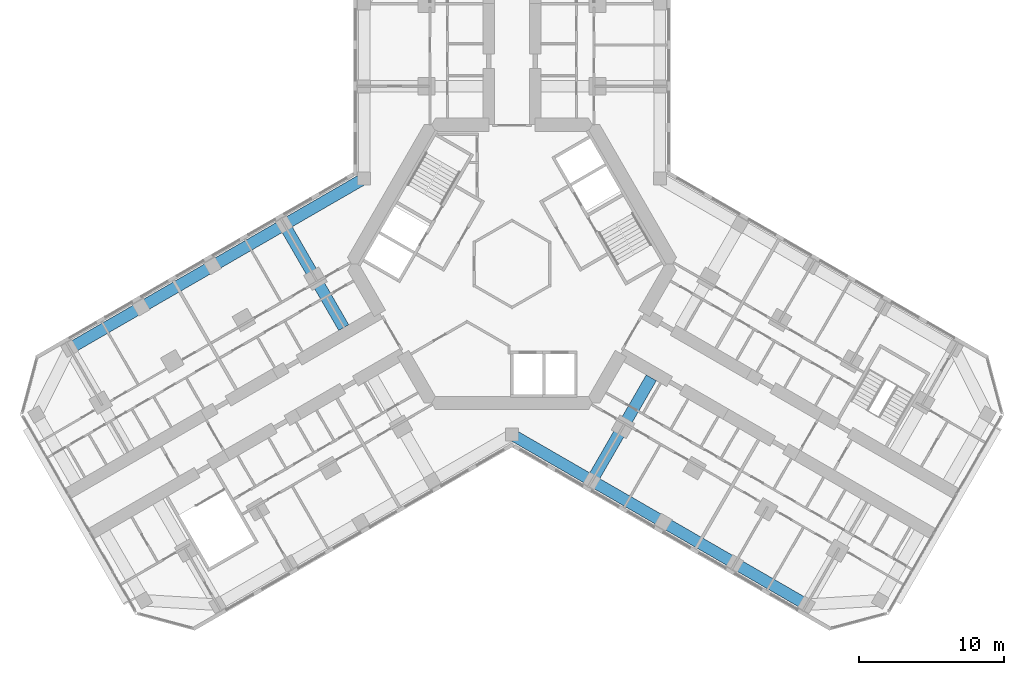
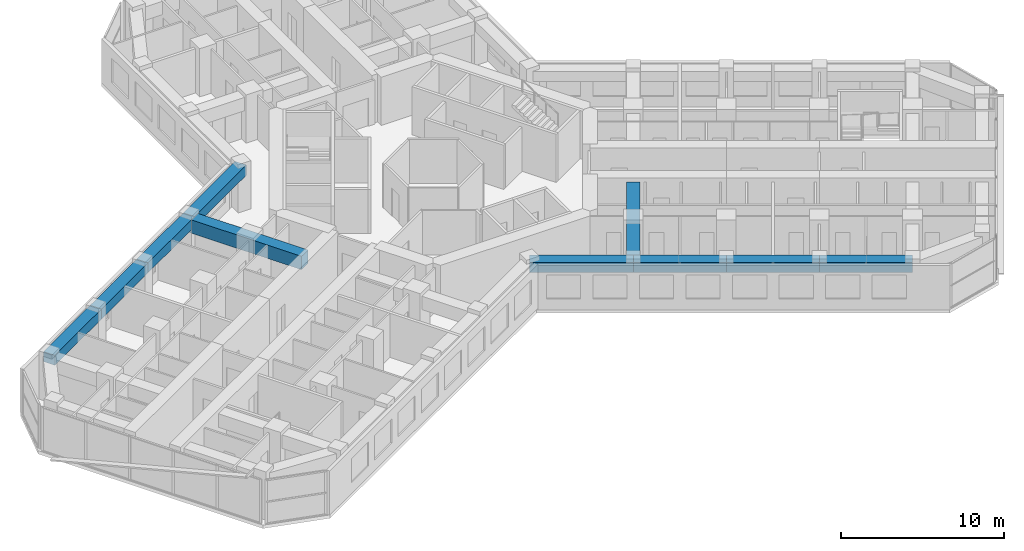
# One storey, part 4 of 20: 10 beams.
"""IFC4 building model written with IfcOpenShell, lengths in metres."""

from ifc_helpers import new_model, si_unit, direction, frame, origin, origin_2d, place, context, subcontext, project, spatial, rectangle, extrude, material, material_profile, profile_set, type_object, element, save


model = new_model("IFC4")

# Units and contexts
model_context = context("Model", 3, precision=1e-05, world=origin(), true_north=direction((0.0, 1.0)))
body_context = subcontext(model_context, "Body", "Model", "MODEL_VIEW")
ifc_project = project(units=[si_unit("LENGTHUNIT", "METRE"), si_unit("AREAUNIT", "SQUARE_METRE"), si_unit("VOLUMEUNIT", "CUBIC_METRE"), si_unit("PLANEANGLEUNIT", "RADIAN"), si_unit("MASSUNIT", "GRAM", prefix="KILO")], contexts=[model_context])

# Site, building, storey
site_placement = place(None, origin())
site = spatial("IfcSite", under=ifc_project, at=site_placement, CompositionType="ELEMENT")
building_placement = place(site_placement, origin())
building = spatial("IfcBuilding", under=site, at=building_placement, Name="Kosmar Iwan School Tower", CompositionType="ELEMENT")
storey_placement = place(building_placement, frame((0.0, 0.0, 183.199951171875)))
storey = spatial("IfcBuildingStorey", under=building, at=storey_placement, Name="L46", CompositionType="ELEMENT", Elevation=183.199951171875)

# Beams
ifc_material_1 = material(Name="Concrete C50/60", Category="concrete")
ifc_material_profile_1 = material_profile(ifc_material_1, rectangle(XDim=0.800048828125, YDim=0.75, at=origin_2d()), Name="RC 800x750 + HD 400x634")
ifc_profile_set_1 = profile_set([ifc_material_profile_1], Name="Concrete C50/60")
beam_type_1 = type_object("IfcBeamType", Name="Composite edge beam 800x750 HD 400x634", PredefinedType="BEAM", material=ifc_profile_set_1)
beam_1_placement = place(storey_placement, frame((-10.199951171875, 5.888916015625, 2.925048828125), z_axis=(-0.866030912664, -0.49999045822, 0.0), x_axis=(0.49999045822, -0.866030912664, 0.0)))
element("IfcBeam", 1, at=beam_1_placement, inside=storey, type_object=beam_type_1, Name="Edge beam BR1", PredefinedType="BEAM", context=body_context, shape_type="SweptSolid", body=[
    extrude(rectangle(XDim=0.800048828125, YDim=0.75, at=origin_2d()), origin(), (0.0, 0.0, 1.0), 6.36083984375),
])
beam_2_placement = place(storey_placement, frame((-15.708740234375, 2.70849609375, 2.925048828125), z_axis=(-0.866025820012, -0.499999279071, 0.0), x_axis=(0.499999279071, -0.866025820012, 0.0)))
element("IfcBeam", 2, at=beam_2_placement, inside=storey, type_object=beam_type_1, Name="Edge beam BR2", PredefinedType="BEAM", context=body_context, shape_type="SweptSolid", body=[
    extrude(rectangle(XDim=0.800048828125, YDim=0.75, at=origin_2d()), origin(), (0.0, 0.0, 1.0), 5.7001953125),
])
for number, where, z_axis, x_axis, name in (
    (3, (-20.645263671875, -0.1416015625, 2.925048828125), (-0.866033658841, -0.49998570155, 0.0), (0.49998570155, -0.866033658841, 0.0), "Edge beam BR3"),
    (4, (-25.58154296875, -2.991455078125, 2.925048828125), (-0.866015111908, -0.50001782563, 0.0), (0.50001782563, -0.866015111908, 0.0), "Edge beam BR4"),
):
    element("IfcBeam", number, at=place(storey_placement, frame(where, z_axis=z_axis, x_axis=x_axis)), inside=storey, type_object=beam_type_1, Name=name, PredefinedType="BEAM", context=body_context, shape_type="SweptSolid", body=[
        extrude(rectangle(XDim=0.800048828125, YDim=0.75, at=origin_2d()), origin(), (0.0, 0.0, 1.0), 5.699951171875),
    ])
beam_3_placement = place(storey_placement, frame((0.0, -11.77783203125, 2.925048828125), z_axis=(0.866014293216, -0.500019243575, 0.0), x_axis=(0.500019243575, 0.866014293216, 0.0)))
element("IfcBeam", 5, at=beam_3_placement, inside=storey, type_object=beam_type_1, Name="Edge beam CR1", PredefinedType="BEAM", context=body_context, shape_type="SweptSolid", body=[
    extrude(rectangle(XDim=0.800048828125, YDim=0.75, at=origin_2d()), origin(), (0.0, 0.0, 1.0), 6.361083984375),
])
beam_4_placement = place(storey_placement, frame((5.5087890625, -14.95849609375, 2.925048828125), z_axis=(0.866033658841, -0.49998570155, 0.0), x_axis=(0.49998570155, 0.866033658841, 0.0)))
element("IfcBeam", 6, at=beam_4_placement, inside=storey, type_object=beam_type_1, Name="Edge beam CR2", PredefinedType="BEAM", context=body_context, shape_type="SweptSolid", body=[
    extrude(rectangle(XDim=0.800048828125, YDim=0.75, at=origin_2d()), origin(), (0.0, 0.0, 1.0), 5.699951171875),
])
beam_5_placement = place(storey_placement, frame((10.445068359375, -17.808349609375, 2.925048828125), z_axis=(0.866025820012, -0.499999279071, 0.0), x_axis=(0.499999279071, 0.866025820012, 0.0)))
element("IfcBeam", 7, at=beam_5_placement, inside=storey, type_object=beam_type_1, Name="Edge beam CR3", PredefinedType="BEAM", context=body_context, shape_type="SweptSolid", body=[
    extrude(rectangle(XDim=0.800048828125, YDim=0.75, at=origin_2d()), origin(), (0.0, 0.0, 1.0), 5.7001953125),
])
beam_6_placement = place(storey_placement, frame((15.381591796875, -20.658447265625, 2.925048828125), z_axis=(0.866015111908, -0.50001782563, 0.0), x_axis=(0.50001782563, 0.866015111908, 0.0)))
element("IfcBeam", 8, at=beam_6_placement, inside=storey, type_object=beam_type_1, Name="Edge beam CR4", PredefinedType="BEAM", context=body_context, shape_type="SweptSolid", body=[
    extrude(rectangle(XDim=0.800048828125, YDim=0.75, at=origin_2d()), origin(), (0.0, 0.0, 1.0), 5.699951171875),
])
ifc_material_2 = material(Name="Concrete C50/60", Category="concrete")
ifc_material_profile_2 = material_profile(ifc_material_2, rectangle(XDim=0.800048828125, YDim=1.0, at=origin_2d()), Name="RC 800x1000 + HD 400x634")
ifc_profile_set_2 = profile_set([ifc_material_profile_2], Name="Concrete C50/60")
beam_type_2 = type_object("IfcBeamType", Name="Composite transverse beam 800x1000 HD 400x634", PredefinedType="BEAM", material=ifc_profile_set_2)
beam_7_placement = place(storey_placement, frame((-15.708740234375, 2.70849609375, 2.800048828125), z_axis=(0.499978459874, -0.866037839625, 0.0), x_axis=(0.866037839625, 0.499978459874, 0.0)))
element("IfcBeam", 9, at=beam_7_placement, inside=storey, type_object=beam_type_2, Name="Transverse beam BR1", PredefinedType="BEAM", context=body_context, shape_type="SweptSolid", body=[
    extrude(rectangle(XDim=0.800048828125, YDim=1.0, at=origin_2d()), origin(), (0.0, 0.0, 1.0), 8.199951171875),
])
beam_8_placement = place(storey_placement, frame((5.5087890625, -14.95849609375, 2.800048828125), z_axis=(0.500000789788, 0.8660249478, 0.0), x_axis=(-0.8660249478, 0.500000789788, 0.0)))
element("IfcBeam", 10, at=beam_8_placement, inside=storey, type_object=beam_type_2, Name="Transverse beam CR1", PredefinedType="BEAM", context=body_context, shape_type="SweptSolid", body=[
    extrude(rectangle(XDim=0.800048828125, YDim=1.0, at=origin_2d()), origin(), (0.0, 0.0, 1.0), 8.2001953125),
])

save(model, "model.ifc")
